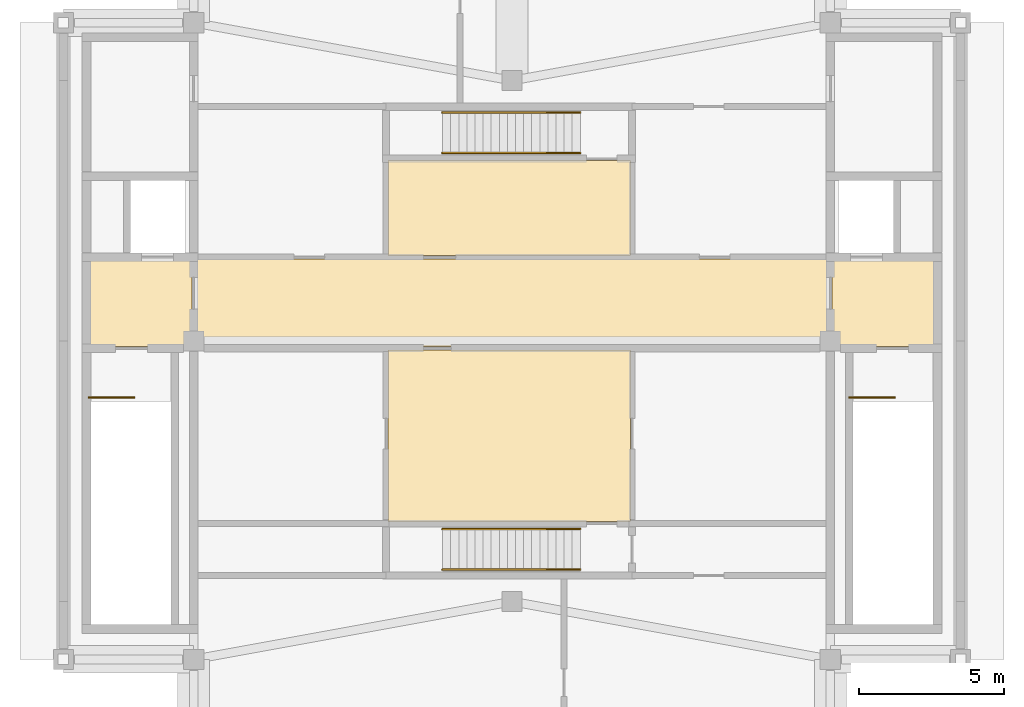
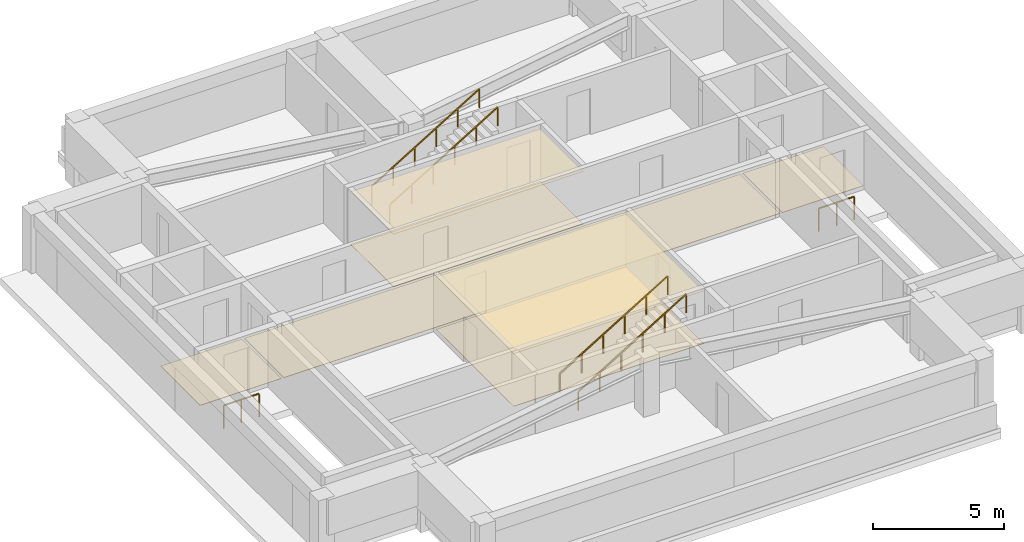
# One storey, part 4 of 4: 7 coverings, 6 railings.
"""IFC4 building model written with IfcOpenShell, lengths in metres."""

from ifc_helpers import new_model, si_unit, direction, frame, origin, origin_2d, place, context, subcontext, project, spatial, polyline, rectangle, outline, extrude, material, layer, layer_set, type_object, element, save


model = new_model("IFC4")

# Units and contexts
model_context = context("Model", 3, precision=1e-05, world=origin(), true_north=direction((0.0, 1.0)))
body_context = subcontext(model_context, "Body", "Model", "MODEL_VIEW")
ifc_project = project(units=[si_unit("LENGTHUNIT", "METRE"), si_unit("AREAUNIT", "SQUARE_METRE"), si_unit("VOLUMEUNIT", "CUBIC_METRE"), si_unit("PLANEANGLEUNIT", "RADIAN"), si_unit("MASSUNIT", "GRAM", prefix="KILO")], contexts=[model_context])

# Site, building, storey
site_placement = place(None, origin())
site = spatial("IfcSite", under=ifc_project, at=site_placement, CompositionType="ELEMENT")
building_placement = place(site_placement, origin())
building = spatial("IfcBuilding", under=site, at=building_placement, Name="Zulmaris Gate Convention Tower", CompositionType="ELEMENT")
storey_placement = place(building_placement, frame((0.0, 0.0, 290.97998046875)))
storey = spatial("IfcBuildingStorey", under=building, at=storey_placement, Name="L78", CompositionType="ELEMENT", Elevation=290.97998046875)

# Coverings
ifc_material_1 = material(Name="Mineral Fibre Acoustic Ceiling Tile")
ifc_layer_1 = layer(ifc_material_1, 0.02001953125, Name="Mineral Fibre Acoustic Ceiling Tile")
ifc_layer_set_1 = layer_set([ifc_layer_1], Name="Mineral Fibre Acoustic Ceiling Tile")
covering_type_1 = type_object("IfcCoveringType", Name="CLG-ACOUSTIC-600", PredefinedType="CEILING", material=ifc_layer_set_1)
covering_1_placement = place(storey_placement, frame((0.0, 0.0, 2.455078125)))
element("IfcCovering", 1, at=covering_1_placement, inside=storey, type_object=covering_type_1, Name="CLG-L78-R16", PredefinedType="CEILING", context=body_context, shape_type="SweptSolid", body=[
    extrude(outline(polyline([(-4.2900390625, -6.239990234375), (4.090087890625, -6.239990234375), (4.090087890625, -0.31005859375), (-4.2900390625, -0.31005859375), (-4.2900390625, -6.239990234375)])), origin(), (0.0, 0.0, 1.0), 0.02001953125),
])
covering_2_placement = place(storey_placement, frame((0.0, 0.0, 2.455078125)))
element("IfcCovering", 2, at=covering_2_placement, inside=storey, type_object=covering_type_1, Name="CLG-L78-R17", PredefinedType="CEILING", context=body_context, shape_type="SweptSolid", body=[
    extrude(outline(polyline([(-4.2900390625, 2.9599609375), (4.090087890625, 2.9599609375), (4.090087890625, 6.239990234375), (-4.2900390625, 6.239990234375), (-4.2900390625, 2.9599609375)])), origin(), (0.0, 0.0, 1.0), 0.02001953125),
])
ifc_material_2 = material(Name="Woven Acoustic Wool Carpet Tile")
ifc_layer_2 = layer(ifc_material_2, 0.02001953125, Name="Woven Acoustic Wool Carpet Tile")
ifc_layer_set_2 = layer_set([ifc_layer_2], Name="Woven Acoustic Wool Carpet Tile")
covering_type_2 = type_object("IfcCoveringType", Name="FLR-CARPET-12", PredefinedType="FLOORING", material=ifc_layer_set_2)
covering_3_placement = place(storey_placement, origin())
element("IfcCovering", 3, at=covering_3_placement, inside=storey, type_object=covering_type_2, Name="FLR-L78-R03", PredefinedType="FLOORING", context=body_context, shape_type="SweptSolid", body=[
    extrude(outline(polyline([(-14.639892578125, -0.18994140625), (-11.06005859375, -0.18994140625), (-11.06005859375, 2.840087890625), (-14.639892578125, 2.840087890625), (-14.639892578125, -0.18994140625)])), origin(), (0.0, 0.0, 1.0), 0.02001953125),
])
covering_4_placement = place(storey_placement, origin())
element("IfcCovering", 4, at=covering_4_placement, inside=storey, type_object=covering_type_2, Name="FLR-L78-R08", PredefinedType="FLOORING", context=body_context, shape_type="SweptSolid", body=[
    extrude(outline(polyline([(11.06005859375, -0.18994140625), (14.639892578125, -0.18994140625), (14.639892578125, 2.840087890625), (11.06005859375, 2.840087890625), (11.06005859375, -0.18994140625)])), origin(), (0.0, 0.0, 1.0), 0.02001953125),
])
covering_5_placement = place(storey_placement, origin())
element("IfcCovering", 5, at=covering_5_placement, inside=storey, type_object=covering_type_2, Name="FLR-L78-R15", PredefinedType="FLOORING", context=body_context, shape_type="SweptSolid", body=[
    extrude(outline(polyline([(-10.93994140625, -0.18994140625), (10.93994140625, -0.18994140625), (10.93994140625, 2.840087890625), (-10.93994140625, 2.840087890625), (-10.93994140625, -0.18994140625)])), origin(), (0.0, 0.0, 1.0), 0.02001953125),
])
covering_6_placement = place(storey_placement, origin())
element("IfcCovering", 6, at=covering_6_placement, inside=storey, type_object=covering_type_2, Name="FLR-L78-R16", PredefinedType="FLOORING", context=body_context, shape_type="SweptSolid", body=[
    extrude(outline(polyline([(-4.2900390625, -6.239990234375), (4.090087890625, -6.239990234375), (4.090087890625, -0.31005859375), (-4.2900390625, -0.31005859375), (-4.2900390625, -6.239990234375)])), origin(), (0.0, 0.0, 1.0), 0.02001953125),
])
covering_7_placement = place(storey_placement, origin())
element("IfcCovering", 7, at=covering_7_placement, inside=storey, type_object=covering_type_2, Name="FLR-L78-R17", PredefinedType="FLOORING", context=body_context, shape_type="SweptSolid", body=[
    extrude(outline(polyline([(-4.2900390625, 2.9599609375), (4.090087890625, 2.9599609375), (4.090087890625, 6.239990234375), (-4.2900390625, 6.239990234375), (-4.2900390625, 2.9599609375)])), origin(), (0.0, 0.0, 1.0), 0.02001953125),
])

# Railings
ifc_material_3 = material(Name="Painted Galvanised Steel", Category="steel")
railing_type_1 = type_object("IfcRailingType", Name="RL-STG-1150", PredefinedType="GUARDRAIL", material=ifc_material_3)
for number, where, name in (
    (8, (-14.6201171875, -1.949951171875, 0.0), "L78 ST-1 top well guard 1"),
    (9, (11.659912109375, -1.949951171875, 0.0), "L78 ST-2 top well guard 1"),
):
    element("IfcRailing", number, at=place(storey_placement, frame(where)), inside=storey, type_object=railing_type_1, Name=name, PredefinedType="GUARDRAIL", context=body_context, shape_type="SweptSolid", body=[
        extrude(rectangle(XDim=0.048095703125, YDim=0.048095703125, at=origin_2d()), frame((0.0, 0.0, 1.076171875), z_axis=(1.0, 0.0, 0.0), x_axis=(0.0, 1.0, 0.0)), (0.0, 0.0, 1.0), 1.56005859375),
        extrude(rectangle(XDim=0.0419921875, YDim=0.0419921875, at=origin_2d()), origin(), (0.0, 0.0, 1.0), 1.052001953125),
        extrude(rectangle(XDim=0.0419921875, YDim=0.0419921875, at=origin_2d()), frame((0.780029296875, 0.0, 0.0)), (0.0, 0.0, 1.0), 1.052001953125),
        extrude(rectangle(XDim=0.0419921875, YDim=0.0419921875, at=origin_2d()), frame((1.56005859375, 0.0, 0.0)), (0.0, 0.0, 1.0), 1.052001953125),
    ])
ifc_material_4 = material(Name="Brushed Stainless Steel", Category="steel")
railing_type_2 = type_object("IfcRailingType", Name="RL-STH-900", PredefinedType="HANDRAIL", material=ifc_material_4)
for number, where, name in (
    (10, (-2.39990234375, -7.89990234375, 0.169921875), "L78 ST-7 stair handrail 1"),
    (11, (-2.39990234375, -6.5, 0.169921875), "L78 ST-7 stair handrail 2"),
    (12, (-2.39990234375, 6.5, 0.169921875), "L78 ST-8 stair handrail 1"),
    (13, (-2.39990234375, 7.89990234375, 0.169921875), "L78 ST-8 stair handrail 2"),
):
    element("IfcRailing", number, at=place(storey_placement, frame(where)), inside=storey, type_object=railing_type_2, Name=name, PredefinedType="HANDRAIL", context=body_context, shape_type="SweptSolid", body=[
        extrude(rectangle(XDim=0.048095703125, YDim=0.048095703125, at=origin_2d()), frame((0.0, 0.0, 0.8759765625), z_axis=(0.854777096061, 0.0, 0.518995294824), x_axis=(0.0, 1.0, 0.0)), (0.0, 0.0, 1.0), 5.568603515625),
        extrude(rectangle(XDim=0.0419921875, YDim=0.0419921875, at=origin_2d()), origin(), (0.0, 0.0, 1.0), 0.851806640625),
        extrude(rectangle(XDim=0.0419921875, YDim=0.0419921875, at=origin_2d()), frame((0.951904296875, 0.0, 0.578125)), (0.0, 0.0, 1.0), 0.851806640625),
        extrude(rectangle(XDim=0.0419921875, YDim=0.0419921875, at=origin_2d()), frame((1.904052734375, 0.0, 1.156005859375)), (0.0, 0.0, 1.0), 0.851806640625),
        extrude(rectangle(XDim=0.0419921875, YDim=0.0419921875, at=origin_2d()), frame((2.85595703125, 0.0, 1.734130859375)), (0.0, 0.0, 1.0), 0.851806640625),
        extrude(rectangle(XDim=0.0419921875, YDim=0.0419921875, at=origin_2d()), frame((3.80810546875, 0.0, 2.31201171875)), (0.0, 0.0, 1.0), 0.851806640625),
        extrude(rectangle(XDim=0.0419921875, YDim=0.0419921875, at=origin_2d()), frame((4.760009765625, 0.0, 2.89013671875)), (0.0, 0.0, 1.0), 0.851806640625),
    ])

save(model, "model.ifc")
